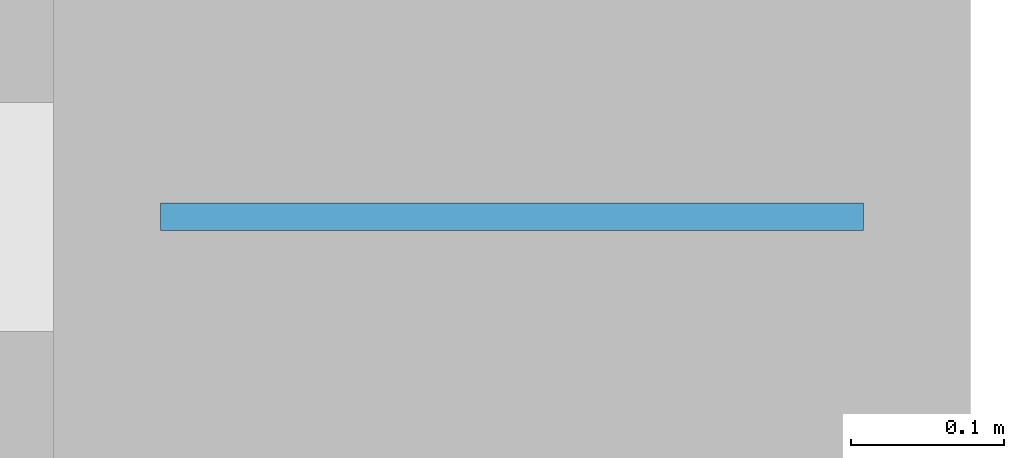
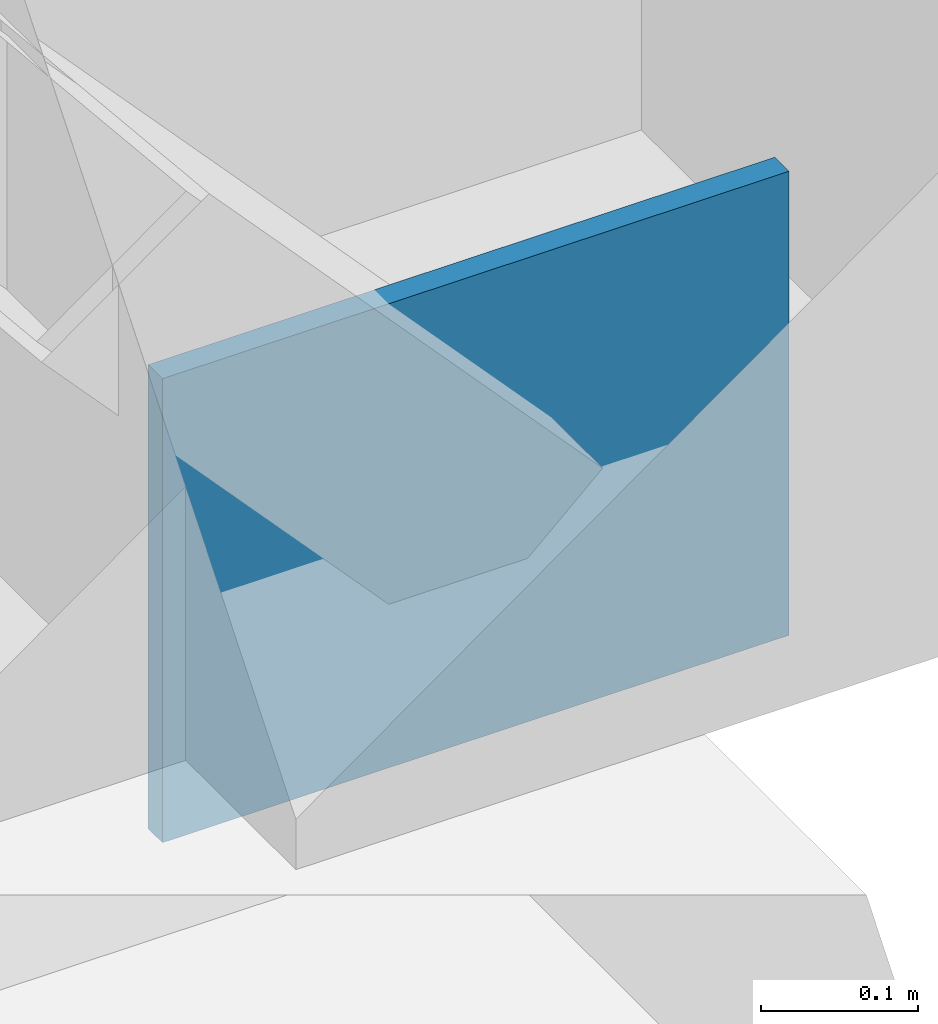
# One storey, part 67 of 91: 1 plate.
"""IFC4 building model written with IfcOpenShell, lengths in metres."""

from ifc_helpers import new_model, si_unit, direction, frame, origin, origin_2d, place, context, subcontext, project, spatial, rectangle, extrude, material, layer, layer_set, type_object, element, save


model = new_model("IFC4")

# Units and contexts
model_context = context("Model", 3, precision=1e-05, world=origin(), true_north=direction((0.0, 1.0)))
body_context = subcontext(model_context, "Body", "Model", "MODEL_VIEW")
ifc_project = project(units=[si_unit("LENGTHUNIT", "METRE"), si_unit("AREAUNIT", "SQUARE_METRE"), si_unit("VOLUMEUNIT", "CUBIC_METRE"), si_unit("PLANEANGLEUNIT", "RADIAN"), si_unit("MASSUNIT", "GRAM", prefix="KILO")], contexts=[model_context])

# Site, building, storey
site_placement = place(None, origin())
site = spatial("IfcSite", under=ifc_project, at=site_placement, CompositionType="ELEMENT")
building_placement = place(site_placement, origin())
building = spatial("IfcBuilding", under=site, at=building_placement, Name="Aldebral Square Health Centre", CompositionType="ELEMENT")
storey_placement = place(building_placement, frame((0.0, 0.0, 9.0)))
storey = spatial("IfcBuildingStorey", under=building, at=storey_placement, Name="L02", CompositionType="ELEMENT", Elevation=9.0)

# Plate
ifc_material = material(Name="Steel S355JR", Category="steel")
ifc_layer = layer(ifc_material, 0.01806640625, Name="Steel S355JR", Category="steel")
ifc_layer_set = layer_set([ifc_layer], Name="Steel S355JR")
plate_type = type_object("IfcPlateType", Name="PL-GUS-5", PredefinedType="USERDEFINED", material=ifc_layer_set)
plate_placement = place(storey_placement, frame((165.60009765625, 115.199951171875, -0.18017578125), z_axis=(0.0, 0.0, 1.0), x_axis=(1.0, 0.0, 0.0)))
element("IfcPlate", 1, at=plate_placement, inside=storey, type_object=plate_type, Name="L02 north chevron brace 23 east base gusset plate", ObjectType="GUSSET_PLATE", PredefinedType="USERDEFINED", context=body_context, shape_type="SweptSolid", body=[
    extrude(rectangle(XDim=0.4599609375, YDim=0.01806640625, at=origin_2d()), origin(), (0.0, 0.0, 1.0), 0.360107421875),
])

save(model, "model.ifc")
